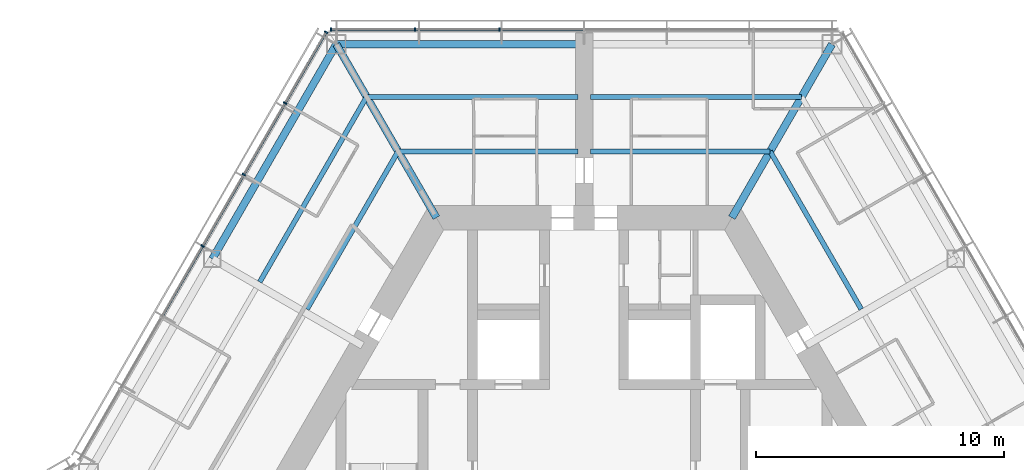
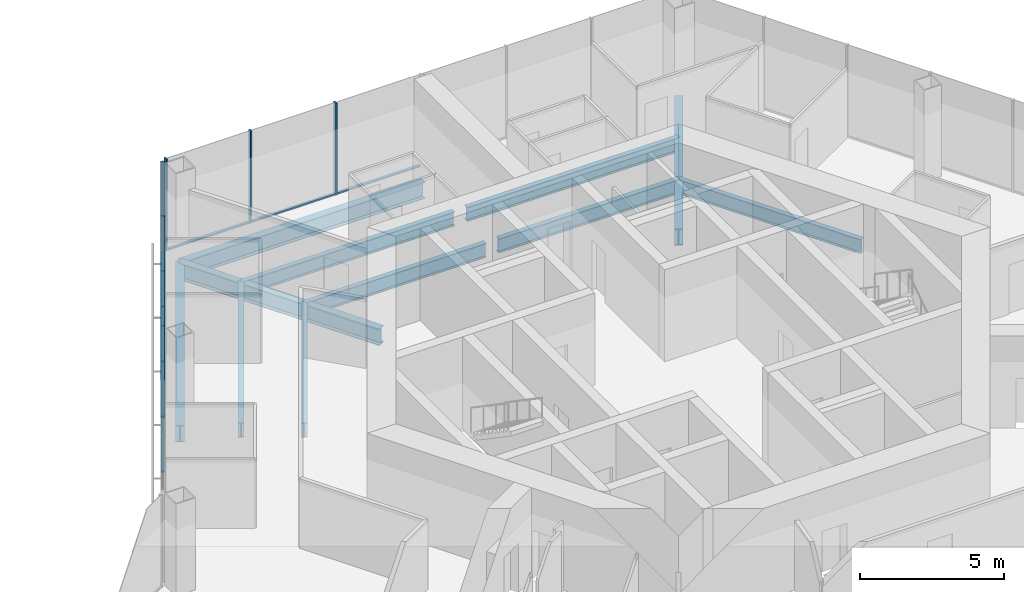
# One storey, part 7 of 18: 14 members, 11 beams, 2 elements without a shape of their own.
"""IFC4 building model written with IfcOpenShell, lengths in metres."""

from ifc_helpers import new_model, si_unit, direction, frame, origin, origin_2d, place, context, subcontext, project, spatial, rectangle, i_section, extrude, material, material_profile, profile_set, type_object, element, aggregate, save


model = new_model("IFC4")

# Units and contexts
model_context = context("Model", 3, precision=1e-05, world=origin(), true_north=direction((0.0, 1.0)))
body_context = subcontext(model_context, "Body", "Model", "MODEL_VIEW")
ifc_project = project(units=[si_unit("LENGTHUNIT", "METRE"), si_unit("AREAUNIT", "SQUARE_METRE"), si_unit("VOLUMEUNIT", "CUBIC_METRE"), si_unit("PLANEANGLEUNIT", "RADIAN"), si_unit("MASSUNIT", "GRAM", prefix="KILO")], contexts=[model_context])

# Site, building, storey
site_placement = place(None, origin())
site = spatial("IfcSite", under=ifc_project, at=site_placement, CompositionType="ELEMENT")
building_placement = place(site_placement, origin())
building = spatial("IfcBuilding", under=site, at=building_placement, Name="Kasaneha Research Tower", CompositionType="ELEMENT")
storey_placement = place(building_placement, frame((0.0, 0.0, 144.800048828125)))
storey = spatial("IfcBuildingStorey", under=building, at=storey_placement, Name="L36", CompositionType="ELEMENT", Elevation=144.800048828125)

# Beams
ifc_material_1 = material(Name="Steel SN490B", Category="steel")
ifc_material_profile_1 = material_profile(ifc_material_1, i_section(OverallWidth=0.199951171875, OverallDepth=0.60009765625, WebThickness=0.010986328125, FlangeThickness=0.01708984375, FilletRadius=0.012939453125, at=origin_2d()), Name="H-600x200x11x17")
ifc_profile_set_1 = profile_set([ifc_material_profile_1], Name="Steel SN490B")
beam_type_1 = type_object("IfcBeamType", Name="B1-3 secondary beam H-600x200x11x17", PredefinedType="JOIST", material=ifc_profile_set_1)
beam_1_placement = place(storey_placement, frame((7.505615234375, 13.0, -0.449951171875), z_axis=(0.499994443168, -0.866028611999, 0.0), x_axis=(0.866028611999, 0.499994443168, 0.0)))
element("IfcBeam", 1, at=beam_1_placement, inside=storey, type_object=beam_type_1, Name="Secondary beam RS030R1 L36", PredefinedType="JOIST", context=body_context, shape_type="SweptSolid", body=[
    extrude(i_section(OverallWidth=0.199951171875, OverallDepth=0.60009765625, WebThickness=0.010986328125, FlangeThickness=0.01708984375, FilletRadius=0.012939453125, at=origin_2d()), origin(), (0.0, 0.0, 1.0), 7.35546875),
])
beam_2_placement = place(storey_placement, frame((7.505615234375, 13.0, -0.449951171875), z_axis=(-1.0, 0.0, 0.0), x_axis=(0.0, -1.0, 0.0)))
element("IfcBeam", 2, at=beam_2_placement, inside=storey, type_object=beam_type_1, Name="Secondary beam RS090L1 L36", PredefinedType="JOIST", context=body_context, shape_type="SweptSolid", body=[
    extrude(i_section(OverallWidth=0.199951171875, OverallDepth=0.60009765625, WebThickness=0.010986328125, FlangeThickness=0.01708984375, FilletRadius=0.012939453125, at=origin_2d()), origin(), (0.0, 0.0, 1.0), 7.255615234375),
])
beam_3_placement = place(storey_placement, frame((8.775634765625, 15.199951171875, -0.449951171875), z_axis=(-1.0, 0.0, 0.0), x_axis=(0.0, -1.0, 0.0)))
element("IfcBeam", 3, at=beam_3_placement, inside=storey, type_object=beam_type_1, Name="Secondary beam RS090L2 L36", PredefinedType="JOIST", context=body_context, shape_type="SweptSolid", body=[
    extrude(i_section(OverallWidth=0.199951171875, OverallDepth=0.60009765625, WebThickness=0.010986328125, FlangeThickness=0.01708984375, FilletRadius=0.012939453125, at=origin_2d()), origin(), (0.0, 0.0, 1.0), 8.525634765625),
])
beam_4_placement = place(storey_placement, frame((-7.505615234375, 13.0, -0.449951171875), z_axis=(1.0, 0.0, 0.0), x_axis=(0.0, 1.0, 0.0)))
element("IfcBeam", 4, at=beam_4_placement, inside=storey, type_object=beam_type_1, Name="Secondary beam RS090R1 L36", PredefinedType="JOIST", context=body_context, shape_type="SweptSolid", body=[
    extrude(i_section(OverallWidth=0.199951171875, OverallDepth=0.60009765625, WebThickness=0.010986328125, FlangeThickness=0.01708984375, FilletRadius=0.012939453125, at=origin_2d()), origin(), (0.0, 0.0, 1.0), 7.255615234375),
])
beam_5_placement = place(storey_placement, frame((-8.775634765625, 15.199951171875, -0.449951171875), z_axis=(1.0, 0.0, 0.0), x_axis=(0.0, 1.0, 0.0)))
element("IfcBeam", 5, at=beam_5_placement, inside=storey, type_object=beam_type_1, Name="Secondary beam RS090R2 L36", PredefinedType="JOIST", context=body_context, shape_type="SweptSolid", body=[
    extrude(i_section(OverallWidth=0.199951171875, OverallDepth=0.60009765625, WebThickness=0.010986328125, FlangeThickness=0.01708984375, FilletRadius=0.012939453125, at=origin_2d()), origin(), (0.0, 0.0, 1.0), 8.525634765625),
])
beam_6_placement = place(storey_placement, frame((-7.505615234375, 13.0, -0.449951171875), z_axis=(-0.499994443168, -0.866028611999, 0.0), x_axis=(0.866028611999, -0.499994443168, 0.0)))
element("IfcBeam", 6, at=beam_6_placement, inside=storey, type_object=beam_type_1, Name="Secondary beam RS150L1 L36", PredefinedType="JOIST", context=body_context, shape_type="SweptSolid", body=[
    extrude(i_section(OverallWidth=0.199951171875, OverallDepth=0.60009765625, WebThickness=0.010986328125, FlangeThickness=0.01708984375, FilletRadius=0.012939453125, at=origin_2d()), origin(), (0.0, 0.0, 1.0), 7.35546875),
])
beam_7_placement = place(storey_placement, frame((-8.775634765625, 15.199951171875, -0.449951171875), z_axis=(-0.500017275495, -0.866015429543, 0.0), x_axis=(0.866015429543, -0.500017275495, 0.0)))
element("IfcBeam", 7, at=beam_7_placement, inside=storey, type_object=beam_type_1, Name="Secondary beam RS150L2 L36", PredefinedType="JOIST", context=body_context, shape_type="SweptSolid", body=[
    extrude(i_section(OverallWidth=0.199951171875, OverallDepth=0.60009765625, WebThickness=0.010986328125, FlangeThickness=0.01708984375, FilletRadius=0.012939453125, at=origin_2d()), origin(), (0.0, 0.0, 1.0), 8.625732421875),
])

# Curtain wall, members
ifc_material_2 = material(Name="Glass and aluminium", Category="aluminium")
curtain_wall_type = type_object("IfcCurtainWallType", Name="Mid-rise office curtain wall", PredefinedType="USERDEFINED", material=ifc_material_2)
curtain_wall_1_placement = place(storey_placement, origin())
curtain_wall_1 = element("IfcCurtainWall", 8, at=curtain_wall_1_placement, inside=storey, type_object=curtain_wall_type, Name="CW-O2 L36 run 07a", ObjectType="UNITISED CURTAIN WALL", PredefinedType="USERDEFINED")
ifc_material_3 = material(Name="Aluminium 6063-T6", Category="aluminium")
ifc_material_profile_2 = material_profile(ifc_material_3, rectangle(XDim=0.06005859375, YDim=0.14990234375, at=origin_2d()), Name="CW-O2 mullion 60x150")
ifc_profile_set_2 = profile_set([ifc_material_profile_2], Name="Aluminium 6063-T6")
member_type_1 = type_object("IfcMemberType", Name="CW-O2 mullion", PredefinedType="MULLION", material=ifc_profile_set_2)
member_1_placement = place(storey_placement, frame((-3.41552734375, 17.92041015625, 0.0), z_axis=(0.0, 0.0, 1.0), x_axis=(-1.0, 0.0, 0.0)))
member_1 = element("IfcMember", 9, at=member_1_placement, type_object=member_type_1, Name="CW-O2 mullion 5", PredefinedType="MULLION", context=body_context, shape_type="SweptSolid", body=[
    extrude(rectangle(XDim=0.06005859375, YDim=0.14990234375, at=origin_2d()), origin(), (0.0, 0.0, 1.0), 3.89990234375),
])
member_2_placement = place(storey_placement, frame((-6.8310546875, 17.92041015625, 0.0), z_axis=(0.0, 0.0, 1.0), x_axis=(-1.0, 0.0, 0.0)))
member_2 = element("IfcMember", 10, at=member_2_placement, type_object=member_type_1, Name="CW-O2 mullion 6", PredefinedType="MULLION", context=body_context, shape_type="SweptSolid", body=[
    extrude(rectangle(XDim=0.06005859375, YDim=0.14990234375, at=origin_2d()), origin(), (0.0, 0.0, 1.0), 3.89990234375),
])
member_3_placement = place(storey_placement, frame((-10.21630859375, 17.92041015625, 0.0), z_axis=(0.0, 0.0, 1.0), x_axis=(-1.0, 0.0, 0.0)))
member_3 = element("IfcMember", 11, at=member_3_placement, type_object=member_type_1, Name="CW-O2 mullion 7", PredefinedType="MULLION", context=body_context, shape_type="SweptSolid", body=[
    extrude(rectangle(XDim=0.06005859375, YDim=0.14990234375, at=origin_2d()), origin(), (0.0, 0.0, 1.0), 3.89990234375),
])

curtain_wall_2_placement = place(storey_placement, origin())
curtain_wall_2 = element("IfcCurtainWall", 12, at=curtain_wall_2_placement, inside=storey, type_object=curtain_wall_type, Name="CW-O2 L36 run 08a", ObjectType="UNITISED CURTAIN WALL", PredefinedType="USERDEFINED")
member_4_placement = place(storey_placement, frame((-10.411376953125, 17.807861328125, 0.0), z_axis=(0.0, 0.0, 1.0), x_axis=(-0.499999979232, -0.866025415775, 0.0)))
member_4 = element("IfcMember", 13, at=member_4_placement, type_object=member_type_1, Name="CW-O2 mullion 1", PredefinedType="MULLION", context=body_context, shape_type="SweptSolid", body=[
    extrude(rectangle(XDim=0.06005859375, YDim=0.14990234375, at=origin_2d()), origin(), (0.0, 0.0, 1.0), 3.89990234375),
])
member_5_placement = place(storey_placement, frame((-12.061767578125, 14.94921875, 0.0), z_axis=(0.0, 0.0, 1.0), x_axis=(-0.499999979232, -0.866025415775, 0.0)))
member_5 = element("IfcMember", 14, at=member_5_placement, type_object=member_type_1, Name="CW-O2 mullion 2", PredefinedType="MULLION", context=body_context, shape_type="SweptSolid", body=[
    extrude(rectangle(XDim=0.06005859375, YDim=0.14990234375, at=origin_2d()), origin(), (0.0, 0.0, 1.0), 3.89990234375),
])
member_6_placement = place(storey_placement, frame((-13.727294921875, 12.064453125, 0.0), z_axis=(0.0, 0.0, 1.0), x_axis=(-0.499999979232, -0.866025415775, 0.0)))
member_6 = element("IfcMember", 15, at=member_6_placement, type_object=member_type_1, Name="CW-O2 mullion 3", PredefinedType="MULLION", context=body_context, shape_type="SweptSolid", body=[
    extrude(rectangle(XDim=0.06005859375, YDim=0.14990234375, at=origin_2d()), origin(), (0.0, 0.0, 1.0), 3.89990234375),
])
member_7_placement = place(storey_placement, frame((-15.392822265625, 9.179931640625, 0.0), z_axis=(0.0, 0.0, 1.0), x_axis=(-0.499999979232, -0.866025415775, 0.0)))
member_7 = element("IfcMember", 16, at=member_7_placement, type_object=member_type_1, Name="CW-O2 mullion 4", PredefinedType="MULLION", context=body_context, shape_type="SweptSolid", body=[
    extrude(rectangle(XDim=0.06005859375, YDim=0.14990234375, at=origin_2d()), origin(), (0.0, 0.0, 1.0), 3.89990234375),
])

# Member
ifc_material_4 = material(Name="Aluminium 6063-T6", Category="aluminium")
ifc_material_profile_3 = material_profile(ifc_material_4, rectangle(XDim=0.110107421875, YDim=0.06005859375, at=origin_2d()), Name="CW-O2 transom 110x60")
ifc_profile_set_3 = profile_set([ifc_material_profile_3], Name="Aluminium 6063-T6")
member_type_2 = type_object("IfcMemberType", Name="CW-O2 transom", PredefinedType="USERDEFINED", material=ifc_profile_set_3)
member_8_placement = place(storey_placement, frame((-0.030029296875, 17.92041015625, 0.030029296875), z_axis=(-1.0, 0.0, 0.0), x_axis=(0.0, -1.0, 0.0)))
member_8 = element("IfcMember", 17, at=member_8_placement, type_object=member_type_2, Name="CW-O2 transom 4", ObjectType="TRANSOM", PredefinedType="USERDEFINED", context=body_context, shape_type="SweptSolid", body=[
    extrude(rectangle(XDim=0.110107421875, YDim=0.06005859375, at=origin_2d()), origin(), (0.0, 0.0, 1.0), 3.35546875),
])

member_9_placement = place(storey_placement, frame((-3.445556640625, 17.92041015625, 0.030029296875), z_axis=(-1.0, 0.0, 0.0), x_axis=(0.0, -1.0, 0.0)))
member_9 = element("IfcMember", 18, at=member_9_placement, type_object=member_type_2, Name="CW-O2 transom 5", ObjectType="TRANSOM", PredefinedType="USERDEFINED", context=body_context, shape_type="SweptSolid", body=[
    extrude(rectangle(XDim=0.110107421875, YDim=0.06005859375, at=origin_2d()), origin(), (0.0, 0.0, 1.0), 3.35546875),
])

member_10_placement = place(storey_placement, frame((-6.86083984375, 17.92041015625, 0.030029296875), z_axis=(-1.0, 0.0, 0.0), x_axis=(0.0, -1.0, 0.0)))
member_10 = element("IfcMember", 19, at=member_10_placement, type_object=member_type_2, Name="CW-O2 transom 6", ObjectType="TRANSOM", PredefinedType="USERDEFINED", context=body_context, shape_type="SweptSolid", body=[
    extrude(rectangle(XDim=0.110107421875, YDim=0.06005859375, at=origin_2d()), origin(), (0.0, 0.0, 1.0), 3.32568359375),
])

aggregate(curtain_wall_1, [member_1, member_2, member_3, member_8, member_9, member_10])

member_11_placement = place(storey_placement, frame((-10.426513671875, 17.781982421875, 0.030029296875), z_axis=(-0.499955025697, -0.866051368154, 0.0), x_axis=(0.866051368154, -0.499955025697, 0.0)))
member_11 = element("IfcMember", 20, at=member_11_placement, type_object=member_type_2, Name="CW-O2 transom 1", ObjectType="TRANSOM", PredefinedType="USERDEFINED", context=body_context, shape_type="SweptSolid", body=[
    extrude(rectangle(XDim=0.110107421875, YDim=0.06005859375, at=origin_2d()), origin(), (0.0, 0.0, 1.0), 3.240966796875),
])

member_12_placement = place(storey_placement, frame((-12.076904296875, 14.92333984375, 0.030029296875), z_axis=(-0.500000270186, -0.866025247793, 0.0), x_axis=(0.866025247793, -0.500000270186, 0.0)))
member_12 = element("IfcMember", 21, at=member_12_placement, type_object=member_type_2, Name="CW-O2 transom 2", ObjectType="TRANSOM", PredefinedType="USERDEFINED", context=body_context, shape_type="SweptSolid", body=[
    extrude(rectangle(XDim=0.110107421875, YDim=0.06005859375, at=origin_2d()), origin(), (0.0, 0.0, 1.0), 3.27099609375),
])

member_13_placement = place(storey_placement, frame((-13.742431640625, 12.03857421875, 0.030029296875), z_axis=(-0.500000270186, -0.866025247793, 0.0), x_axis=(0.866025247793, -0.500000270186, 0.0)))
member_13 = element("IfcMember", 22, at=member_13_placement, type_object=member_type_2, Name="CW-O2 transom 3", ObjectType="TRANSOM", PredefinedType="USERDEFINED", context=body_context, shape_type="SweptSolid", body=[
    extrude(rectangle(XDim=0.110107421875, YDim=0.06005859375, at=origin_2d()), origin(), (0.0, 0.0, 1.0), 3.27099609375),
])

member_14_placement = place(storey_placement, frame((-15.40771484375, 9.15380859375, 0.030029296875), z_axis=(-0.50003259116, -0.866006586452, 0.0), x_axis=(0.866006586452, -0.50003259116, 0.0)))
member_14 = element("IfcMember", 23, at=member_14_placement, type_object=member_type_2, Name="CW-O2 transom 4", ObjectType="TRANSOM", PredefinedType="USERDEFINED", context=body_context, shape_type="SweptSolid", body=[
    extrude(rectangle(XDim=0.110107421875, YDim=0.06005859375, at=origin_2d()), origin(), (0.0, 0.0, 1.0), 3.270751953125),
])

aggregate(curtain_wall_2, [member_4, member_5, member_6, member_7, member_11, member_12, member_13, member_14])

# Beams
ifc_material_5 = material(Name="Steel SN490B", Category="steel")
ifc_material_profile_4 = material_profile(ifc_material_5, i_section(OverallWidth=0.300048828125, OverallDepth=0.699951171875, WebThickness=0.012939453125, FlangeThickness=0.02392578125, FilletRadius=0.01806640625, at=origin_2d()), Name="H-700x300x13x24")
ifc_profile_set_4 = profile_set([ifc_material_profile_4], Name="Steel SN490B")
beam_type_2 = type_object("IfcBeamType", Name="G1-3 radial girder H-700x300x13x24", PredefinedType="BEAM", material=ifc_profile_set_4)
for number, where, z_axis, x_axis, name in (
    (24, (5.961181640625, 10.324951171875, -0.5), (0.49999105496, 0.866030568144, 0.0), (-0.866030568144, 0.49999105496, 0.0), "Radial girder RV060 L36"),
    (25, (-5.961181640625, 10.324951171875, -0.5), (-0.49999105496, 0.866030568144, 0.0), (-0.866030568144, -0.49999105496, 0.0), "Radial girder RV120 L36"),
):
    element("IfcBeam", number, at=place(storey_placement, frame(where, z_axis=z_axis, x_axis=x_axis)), inside=storey, type_object=beam_type_2, Name=name, PredefinedType="BEAM", context=body_context, shape_type="SweptSolid", body=[
        extrude(i_section(OverallWidth=0.300048828125, OverallDepth=0.699951171875, WebThickness=0.012939453125, FlangeThickness=0.02392578125, FilletRadius=0.01806640625, at=origin_2d()), origin(), (0.0, 0.0, 1.0), 8.077880859375),
    ])
ifc_material_6 = material(Name="Steel SN490B", Category="steel")
ifc_material_profile_5 = material_profile(ifc_material_6, i_section(OverallWidth=0.300048828125, OverallDepth=0.69189453125, WebThickness=0.012939453125, FlangeThickness=0.02001953125, FilletRadius=0.01806640625, at=origin_2d()), Name="H-692x300x13x20")
ifc_profile_set_5 = profile_set([ifc_material_profile_5], Name="Steel SN490B")
beam_type_3 = type_object("IfcBeamType", Name="G3-3 plate edge girder H-692x300x13x20", PredefinedType="BEAM", material=ifc_profile_set_5)
beam_8_placement = place(storey_placement, frame((-10.0, 17.320556640625, -0.49609375), z_axis=(1.0, 0.0, 0.0), x_axis=(0.0, 1.0, 0.0)))
element("IfcBeam", 26, at=beam_8_placement, inside=storey, type_object=beam_type_3, Name="Plate edge girder PEAN L36", PredefinedType="BEAM", context=body_context, shape_type="SweptSolid", body=[
    extrude(i_section(OverallWidth=0.300048828125, OverallDepth=0.69189453125, WebThickness=0.012939453125, FlangeThickness=0.02001953125, FilletRadius=0.01806640625, at=origin_2d()), origin(), (0.0, 0.0, 1.0), 9.75),
])
ifc_material_7 = material(Name="Steel SN490B", Category="steel")
ifc_material_profile_6 = material_profile(ifc_material_7, i_section(OverallWidth=0.300048828125, OverallDepth=0.69189453125, WebThickness=0.012939453125, FlangeThickness=0.02001953125, FilletRadius=0.01806640625, at=origin_2d()), Name="H-692x300x13x20")
ifc_profile_set_6 = profile_set([ifc_material_profile_6], Name="Steel SN490B")
beam_type_4 = type_object("IfcBeamType", Name="SB1-3 spandrel beam H-692x300x13x20", PredefinedType="SPANDREL", material=ifc_profile_set_6)
beam_9_placement = place(storey_placement, frame((-10.0, 17.320556640625, -0.49609375), z_axis=(-0.499993662806, -0.866029062534, 0.0), x_axis=(0.866029062534, -0.499993662806, 0.0)))
element("IfcBeam", 27, at=beam_9_placement, inside=storey, type_object=beam_type_4, Name="Spandrel beam SR150L L36", PredefinedType="SPANDREL", context=body_context, shape_type="SweptSolid", body=[
    extrude(i_section(OverallWidth=0.300048828125, OverallDepth=0.69189453125, WebThickness=0.012939453125, FlangeThickness=0.02001953125, FilletRadius=0.01806640625, at=origin_2d()), origin(), (0.0, 0.0, 1.0), 10.000244140625),
])

save(model, "model.ifc")
